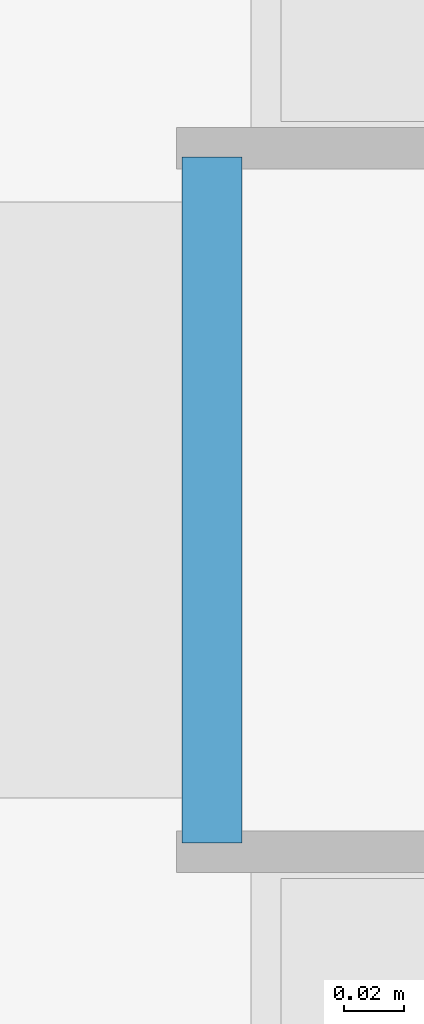
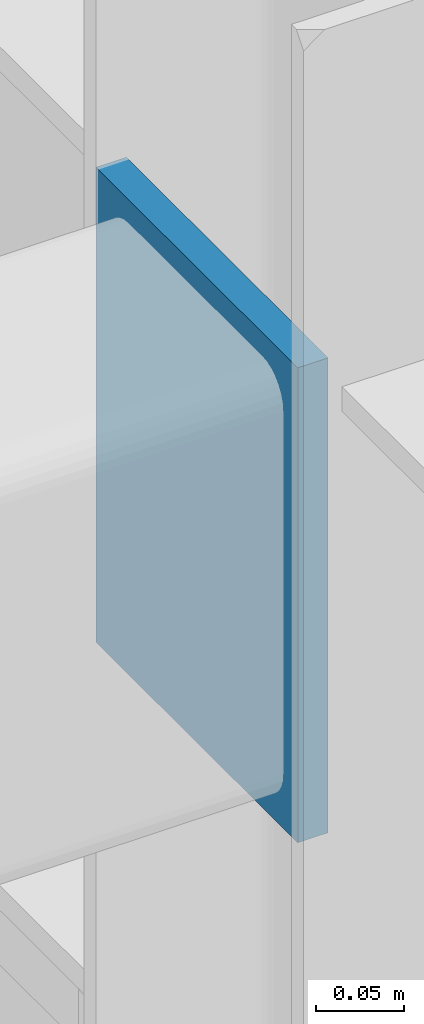
# One storey, part 116 of 184: 1 plate.
"""IFC4 building model written with IfcOpenShell, lengths in metres."""

from ifc_helpers import new_model, si_unit, direction, frame, origin, origin_2d, place, context, subcontext, project, spatial, rectangle, extrude, material, layer, layer_set, type_object, element, save


model = new_model("IFC4")

# Units and contexts
model_context = context("Model", 3, precision=1e-05, world=origin(), true_north=direction((0.0, 1.0)))
body_context = subcontext(model_context, "Body", "Model", "MODEL_VIEW")
ifc_project = project(units=[si_unit("LENGTHUNIT", "METRE"), si_unit("AREAUNIT", "SQUARE_METRE"), si_unit("VOLUMEUNIT", "CUBIC_METRE"), si_unit("PLANEANGLEUNIT", "RADIAN"), si_unit("MASSUNIT", "GRAM", prefix="KILO")], contexts=[model_context])

# Site, building, storey
site_placement = place(None, origin())
site = spatial("IfcSite", under=ifc_project, at=site_placement, CompositionType="ELEMENT")
building_placement = place(site_placement, origin())
building = spatial("IfcBuilding", under=site, at=building_placement, Name="Zhaolan Boulevard Law Courts", CompositionType="ELEMENT")
storey_placement = place(building_placement, frame((0.0, 0.0, 5.39990234375)))
storey = spatial("IfcBuildingStorey", under=building, at=storey_placement, Name="L01", CompositionType="ELEMENT", Elevation=5.39990234375)

# Plate
ifc_material = material(Name="Structural steel Q355B", Category="steel")
ifc_layer = layer(ifc_material, 0.02001953125)
ifc_layer_set = layer_set([ifc_layer])
plate_type = type_object("IfcPlateType", Name="END CAP PLATE 20", PredefinedType="SHEET", material=ifc_layer_set)
plate_placement = place(storey_placement, frame((59.886962890625, 46.0, 4.8330078125), z_axis=(0.0, 0.0, 1.0), x_axis=(1.0, 0.0, 0.0)))
element("IfcPlate", 1, at=plate_placement, inside=storey, type_object=plate_type, Name="Hollow Section End-Cap Plate ECP-0768", PredefinedType="SHEET", context=body_context, shape_type="SweptSolid", body=[
    extrude(rectangle(XDim=0.02001953125, YDim=0.22998046875, at=origin_2d()), origin(), (0.0, 0.0, 1.0), 0.330078125),
])

save(model, "model.ifc")
